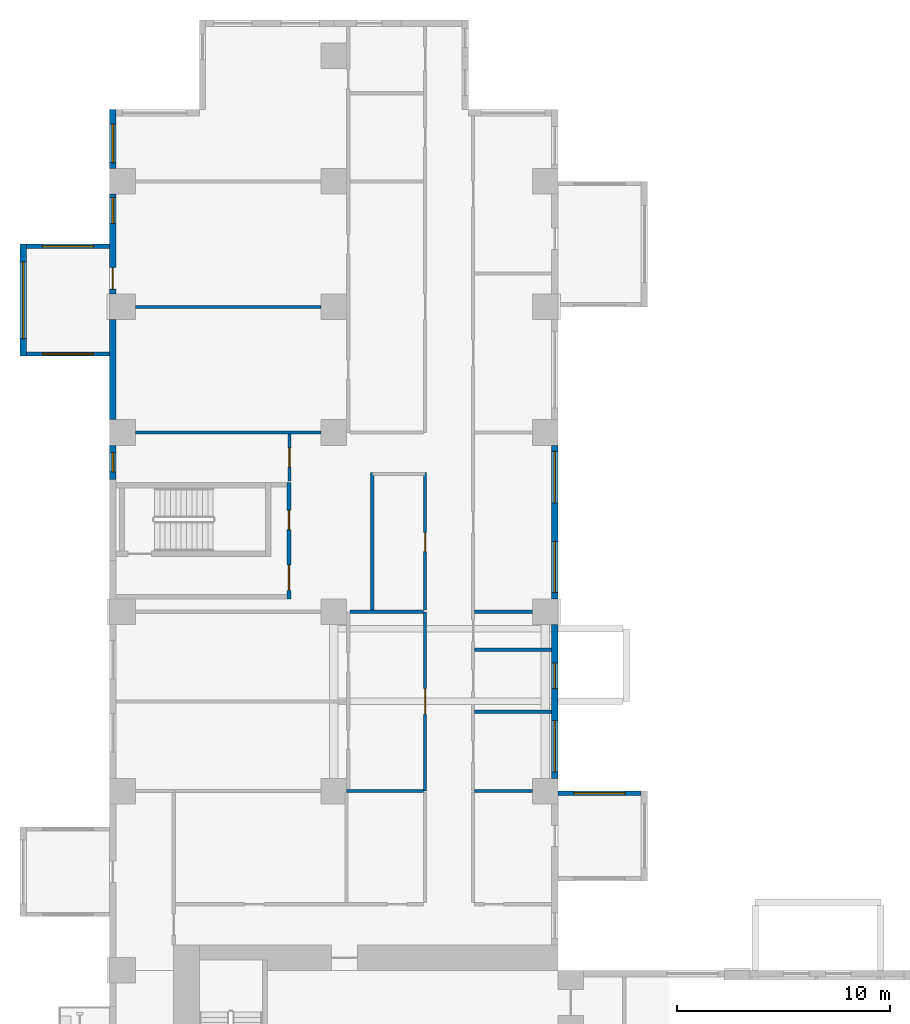
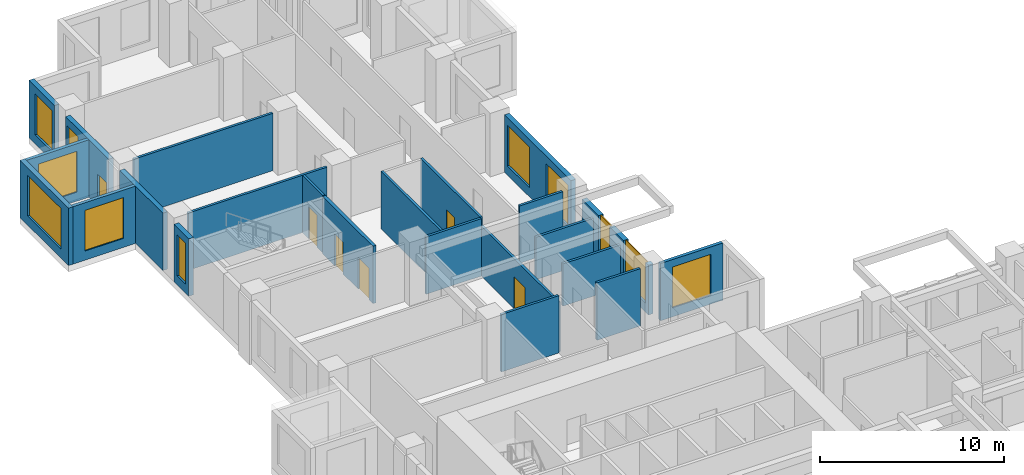
# One storey, part 7 of 15: 23 walls, 11 windows, 6 doors, 17 openings.
"""IFC4 building model written with IfcOpenShell, lengths in metres."""

from ifc_helpers import new_model, si_unit, direction, frame, frame_2d, origin, place, context, subcontext, project, spatial, rectangle, extrude, source, transform, mapped, material, layer, layer_set, type_object, element, fill, save


model = new_model("IFC4")

# Units and contexts
model_context = context("Model", 3, precision=1e-05, world=origin(), true_north=direction((0.0, 1.0)))
body_context = subcontext(model_context, "Body", "Model", "MODEL_VIEW")
ifc_project = project(units=[si_unit("LENGTHUNIT", "METRE"), si_unit("AREAUNIT", "SQUARE_METRE"), si_unit("VOLUMEUNIT", "CUBIC_METRE"), si_unit("PLANEANGLEUNIT", "RADIAN"), si_unit("MASSUNIT", "GRAM", prefix="KILO")], contexts=[model_context])

# Site, building, storey
site_placement = place(None, origin())
site = spatial("IfcSite", under=ifc_project, at=site_placement, CompositionType="ELEMENT")
building_placement = place(site_placement, origin())
building = spatial("IfcBuilding", under=site, at=building_placement, Name="Aurelian Terraces", CompositionType="ELEMENT")
storey_placement = place(building_placement, frame((0.0, 0.0, 61.5)))
storey = spatial("IfcBuildingStorey", under=building, at=storey_placement, Name="L12", CompositionType="ELEMENT", Elevation=61.5)

# Wall, openings, windows
ifc_material_1 = material(Name="Terracotta rainscreen cladding", Category="masonry")
ifc_layer_1 = layer(ifc_material_1, 0.3)
ifc_layer_set_1 = layer_set([ifc_layer_1], Name="EW-300")
wall_type_1 = type_object("IfcWallType", Name="EW-300", PredefinedType="STANDARD", material=ifc_layer_set_1)
shared_shape_1 = source(origin(), body_context, "Body", "SweptSolid", [
    extrude(rectangle(XDim=7.2, YDim=0.3, at=frame_2d((3.6, 0.0))), origin(), (0.0, 0.0, 1.0), 3.8),
])
wall_1_placement = place(storey_placement, frame((20.85, 38.4, 0.0), z_axis=(0.0, 0.0, 1.0), x_axis=(0.0, 1.0, 0.0)))
wall_1 = element("IfcWall", 1, at=wall_1_placement, inside=storey, type_object=wall_type_1, Name="External wall L12 F08.26", PredefinedType="STANDARD", context=body_context, shape_type="MappedRepresentation", body=[
    mapped(shared_shape_1, transform((0.0, 0.0, 0.0), scale=1.0)),
])
shared_shape_2 = source(origin(), body_context, "Body", "SweptSolid", [
    extrude(rectangle(XDim=2.4, YDim=2.7, at=frame_2d((1.2, 1.35))), frame((0.0, 0.16, 0.0), z_axis=(0.0, -1.0, 0.0), x_axis=(1.0, 0.0, 0.0)), (0.0, 0.0, 1.0), 0.32),
])
opening_1_placement = place(wall_1_placement, frame((0.3, 0.0, 0.6)))
opening_1 = element("IfcOpeningElement", 2, at=opening_1_placement, cuts=wall_1, Name="Opening W2427", PredefinedType="OPENING", context=body_context, shape_type="MappedRepresentation", body=[
    mapped(shared_shape_2, transform((0.0, 0.0, 0.0), scale=1.0)),
])
opening_2_placement = place(wall_1_placement, frame((4.5, 0.0, 0.6)))
opening_2 = element("IfcOpeningElement", 3, at=opening_2_placement, cuts=wall_1, Name="Opening W2427", PredefinedType="OPENING", context=body_context, shape_type="MappedRepresentation", body=[
    mapped(shared_shape_2, transform((0.0, 0.0, 0.0), scale=1.0)),
])
ifc_material_2 = material(Name="Clear glazing", Category="glass")
window_type_1 = type_object("IfcWindowType", Name="W-2400x2700", PartitioningType="SINGLE_PANEL", PredefinedType="WINDOW", material=ifc_material_2)
shared_shape_3 = source(origin(), body_context, "Body", "SweptSolid", [
    extrude(rectangle(XDim=2.4, YDim=2.7, at=frame_2d((1.2, 1.35))), frame((0.0, 0.03, 0.0), z_axis=(0.0, -1.0, 0.0), x_axis=(1.0, 0.0, 0.0)), (0.0, 0.0, 1.0), 0.06),
])
window_1_placement = place(opening_1_placement, origin())
window_1 = element("IfcWindow", 4, at=window_1_placement, inside=storey, type_object=window_type_1, Name="Window L12 L12-F08-26-0", OverallHeight=2.7, OverallWidth=2.4, PartitioningType="SINGLE_PANEL", PredefinedType="WINDOW", context=body_context, shape_type="MappedRepresentation", body=[
    mapped(shared_shape_3, transform((0.0, 0.0, 0.0), scale=1.0)),
])
fill(opening_1, window_1)
window_2_placement = place(opening_2_placement, origin())
window_2 = element("IfcWindow", 5, at=window_2_placement, inside=storey, type_object=window_type_1, Name="Window L12 L12-F08-26-1", OverallHeight=2.7, OverallWidth=2.4, PartitioningType="SINGLE_PANEL", PredefinedType="WINDOW", context=body_context, shape_type="MappedRepresentation", body=[
    mapped(shared_shape_3, transform((0.0, 0.0, 0.0), scale=1.0)),
])
fill(opening_2, window_2)

# Wall, openings, window, door
shared_shape_4 = source(origin(), body_context, "Body", "SweptSolid", [
    extrude(rectangle(XDim=4.68, YDim=0.3, at=frame_2d((2.34, 0.0))), origin(), (0.0, 0.0, 1.0), 3.8),
])
wall_2_placement = place(storey_placement, frame((0.15, 57.36, 0.0), z_axis=(0.0, 0.0, 1.0), x_axis=(0.0, -1.0, 0.0)))
wall_2 = element("IfcWall", 6, at=wall_2_placement, inside=storey, type_object=wall_type_1, Name="External wall L12 F14.38", PredefinedType="STANDARD", context=body_context, shape_type="MappedRepresentation", body=[
    mapped(shared_shape_4, transform((0.0, 0.0, 0.0), scale=1.0)),
])
shared_shape_5 = source(origin(), body_context, "Body", "SweptSolid", [
    extrude(rectangle(XDim=1.2, YDim=2.7, at=frame_2d((0.6, 1.35))), frame((0.0, 0.16, 0.0), z_axis=(0.0, -1.0, 0.0), x_axis=(1.0, 0.0, 0.0)), (0.0, 0.0, 1.0), 0.32),
])
opening_3_placement = place(wall_2_placement, frame((0.165, 0.0, 0.6)))
opening_3 = element("IfcOpeningElement", 7, at=opening_3_placement, cuts=wall_2, Name="Opening W1227", PredefinedType="OPENING", context=body_context, shape_type="MappedRepresentation", body=[
    mapped(shared_shape_5, transform((0.0, 0.0, 0.0), scale=1.0)),
])
shared_shape_6 = source(origin(), body_context, "Body", "SweptSolid", [
    extrude(rectangle(XDim=1.0, YDim=2.1, at=frame_2d((0.5, 1.05))), frame((0.0, 0.16, 0.0), z_axis=(0.0, -1.0, 0.0), x_axis=(1.0, 0.0, 0.0)), (0.0, 0.0, 1.0), 0.32),
])
opening_4_placement = place(wall_2_placement, frame((3.4442, 0.0, 0.0)))
opening_4 = element("IfcOpeningElement", 8, at=opening_4_placement, cuts=wall_2, Name="Opening 812004", PredefinedType="OPENING", context=body_context, shape_type="MappedRepresentation", body=[
    mapped(shared_shape_6, transform((0.0, 0.0, 0.0), scale=1.0)),
])
window_type_2 = type_object("IfcWindowType", Name="W-1200x2700", PartitioningType="SINGLE_PANEL", PredefinedType="WINDOW", material=ifc_material_2)
shared_shape_7 = source(origin(), body_context, "Body", "SweptSolid", [
    extrude(rectangle(XDim=1.2, YDim=2.7, at=frame_2d((0.6, 1.35))), frame((0.0, 0.03, 0.0), z_axis=(0.0, -1.0, 0.0), x_axis=(1.0, 0.0, 0.0)), (0.0, 0.0, 1.0), 0.06),
])
window_3_placement = place(opening_3_placement, origin())
window_3 = element("IfcWindow", 9, at=window_3_placement, inside=storey, type_object=window_type_2, Name="Window L12 L12-F14-38-1", OverallHeight=2.7, OverallWidth=1.2, PartitioningType="SINGLE_PANEL", PredefinedType="WINDOW", context=body_context, shape_type="MappedRepresentation", body=[
    mapped(shared_shape_7, transform((0.0, 0.0, 0.0), scale=1.0)),
])
fill(opening_3, window_3)
ifc_material_3 = material(Name="Timber door leaf", Category="wood")
door_type_1 = type_object("IfcDoorType", Name="Room door 1000x2100 left", OperationType="SINGLE_SWING_LEFT", PredefinedType="DOOR", material=ifc_material_3)
shared_shape_8 = source(origin(), body_context, "Body", "SweptSolid", [
    extrude(rectangle(XDim=1.0, YDim=2.1, at=frame_2d((0.5, 1.05))), frame((0.0, 0.025, 0.0), z_axis=(0.0, -1.0, 0.0), x_axis=(1.0, 0.0, 0.0)), (0.0, 0.0, 1.0), 0.05),
])
door_1_placement = place(opening_4_placement, origin())
door_1 = element("IfcDoor", 10, at=door_1_placement, inside=storey, type_object=door_type_1, Name="Door 812004", OperationType="SINGLE_SWING_LEFT", OverallHeight=2.1, OverallWidth=1.0, PredefinedType="DOOR", context=body_context, shape_type="MappedRepresentation", body=[
    mapped(shared_shape_8, transform((0.0, 0.0, 0.0), scale=1.0)),
])
fill(opening_4, door_1)

# Wall
wall_3_placement = place(storey_placement, frame((0.15, 51.48, 0.0), z_axis=(0.0, 0.0, 1.0), x_axis=(0.0, -1.0, 0.0)))
element("IfcWall", 11, at=wall_3_placement, inside=storey, type_object=wall_type_1, Name="External wall L12 F14.38", PredefinedType="STANDARD", context=body_context, shape_type="MappedRepresentation", body=[
    mapped(shared_shape_4, transform((0.0, 0.0, 0.0), scale=1.0)),
])

# Wall, opening, window
shared_shape_9 = source(origin(), body_context, "Body", "SweptSolid", [
    extrude(rectangle(XDim=2.76, YDim=0.3, at=frame_2d((1.38, 0.0))), origin(), (0.0, 0.0, 1.0), 3.8),
])
wall_4_placement = place(storey_placement, frame((0.15, 61.32, 0.0), z_axis=(0.0, 0.0, 1.0), x_axis=(0.0, -1.0, 0.0)))
wall_4 = element("IfcWall", 12, at=wall_4_placement, inside=storey, type_object=wall_type_1, Name="External wall L12 F14.38", PredefinedType="STANDARD", context=body_context, shape_type="MappedRepresentation", body=[
    mapped(shared_shape_9, transform((0.0, 0.0, 0.0), scale=1.0)),
])
shared_shape_10 = source(origin(), body_context, "Body", "SweptSolid", [
    extrude(rectangle(XDim=1.8, YDim=2.7, at=frame_2d((0.9, 1.35))), frame((0.0, 0.16, 0.0), z_axis=(0.0, -1.0, 0.0), x_axis=(1.0, 0.0, 0.0)), (0.0, 0.0, 1.0), 0.32),
])
opening_5_placement = place(wall_4_placement, frame((0.675, 0.0, 0.6)))
opening_5 = element("IfcOpeningElement", 13, at=opening_5_placement, cuts=wall_4, Name="Opening W1827", PredefinedType="OPENING", context=body_context, shape_type="MappedRepresentation", body=[
    mapped(shared_shape_10, transform((0.0, 0.0, 0.0), scale=1.0)),
])
window_type_3 = type_object("IfcWindowType", Name="W-1800x2700", PartitioningType="SINGLE_PANEL", PredefinedType="WINDOW", material=ifc_material_2)
shared_shape_11 = source(origin(), body_context, "Body", "SweptSolid", [
    extrude(rectangle(XDim=1.8, YDim=2.7, at=frame_2d((0.9, 1.35))), frame((0.0, 0.03, 0.0), z_axis=(0.0, -1.0, 0.0), x_axis=(1.0, 0.0, 0.0)), (0.0, 0.0, 1.0), 0.06),
])
window_4_placement = place(opening_5_placement, origin())
window_4 = element("IfcWindow", 14, at=window_4_placement, inside=storey, type_object=window_type_3, Name="Window L12 L12-F14-38-0", OverallHeight=2.7, OverallWidth=1.8, PartitioningType="SINGLE_PANEL", PredefinedType="WINDOW", context=body_context, shape_type="MappedRepresentation", body=[
    mapped(shared_shape_11, transform((0.0, 0.0, 0.0), scale=1.0)),
])
fill(opening_5, window_4)

shared_shape_12 = source(origin(), body_context, "Body", "SweptSolid", [
    extrude(rectangle(XDim=1.6, YDim=0.3, at=frame_2d((0.8, 0.0))), origin(), (0.0, 0.0, 1.0), 3.8),
])
wall_5_placement = place(storey_placement, frame((0.15, 45.6, 0.0), z_axis=(0.0, 0.0, 1.0), x_axis=(0.0, -1.0, 0.0)))
wall_5 = element("IfcWall", 15, at=wall_5_placement, inside=storey, type_object=wall_type_1, Name="External wall L12 F14.38", PredefinedType="STANDARD", context=body_context, shape_type="MappedRepresentation", body=[
    mapped(shared_shape_12, transform((0.0, 0.0, 0.0), scale=1.0)),
])
shared_shape_13 = source(origin(), body_context, "Body", "SweptSolid", [
    extrude(rectangle(XDim=0.9, YDim=2.7, at=frame_2d((0.45, 1.35))), frame((0.0, 0.16, 0.0), z_axis=(0.0, -1.0, 0.0), x_axis=(1.0, 0.0, 0.0)), (0.0, 0.0, 1.0), 0.32),
])
opening_6_placement = place(wall_5_placement, frame((0.35, 0.0, 0.6)))
opening_6 = element("IfcOpeningElement", 16, at=opening_6_placement, cuts=wall_5, Name="Opening W0927", PredefinedType="OPENING", context=body_context, shape_type="MappedRepresentation", body=[
    mapped(shared_shape_13, transform((0.0, 0.0, 0.0), scale=1.0)),
])
window_type_4 = type_object("IfcWindowType", Name="W-900x2700", PartitioningType="SINGLE_PANEL", PredefinedType="WINDOW", material=ifc_material_2)
shared_shape_14 = source(origin(), body_context, "Body", "SweptSolid", [
    extrude(rectangle(XDim=0.9, YDim=2.7, at=frame_2d((0.45, 1.35))), frame((0.0, 0.03, 0.0), z_axis=(0.0, -1.0, 0.0), x_axis=(1.0, 0.0, 0.0)), (0.0, 0.0, 1.0), 0.06),
])
window_5_placement = place(opening_6_placement, origin())
window_5 = element("IfcWindow", 17, at=window_5_placement, inside=storey, type_object=window_type_4, Name="Window L12 L12-F14-38-P3", OverallHeight=2.7, OverallWidth=0.9, PartitioningType="SINGLE_PANEL", PredefinedType="WINDOW", context=body_context, shape_type="MappedRepresentation", body=[
    mapped(shared_shape_14, transform((0.0, 0.0, 0.0), scale=1.0)),
])
fill(opening_6, window_5)

# Wall, openings, windows
shared_shape_15 = source(origin(), body_context, "Body", "SweptSolid", [
    extrude(rectangle(XDim=7.2, YDim=0.3, at=frame_2d((3.6, 0.0))), origin(), (0.0, 0.0, 1.0), 3.3),
])
wall_6_placement = place(storey_placement, frame((20.85, 30.0, 0.0), z_axis=(0.0, 0.0, 1.0), x_axis=(0.0, 1.0, 0.0)))
wall_6 = element("IfcWall", 18, at=wall_6_placement, inside=storey, type_object=wall_type_1, Name="External wall L12 F08.25", PredefinedType="STANDARD", context=body_context, shape_type="MappedRepresentation", body=[
    mapped(shared_shape_15, transform((0.0, 0.0, 0.0), scale=1.0)),
])
opening_7_placement = place(wall_6_placement, frame((0.3, 0.0, 0.6)))
opening_7 = element("IfcOpeningElement", 19, at=opening_7_placement, cuts=wall_6, Name="Opening W2427", PredefinedType="OPENING", context=body_context, shape_type="MappedRepresentation", body=[
    mapped(shared_shape_2, transform((0.0, 0.0, 0.0), scale=1.0)),
])
opening_8_placement = place(wall_6_placement, frame((4.1995, 0.0, 0.6)))
opening_8 = element("IfcOpeningElement", 20, at=opening_8_placement, cuts=wall_6, Name="Opening W1227", PredefinedType="OPENING", context=body_context, shape_type="MappedRepresentation", body=[
    mapped(shared_shape_5, transform((0.0, 0.0, 0.0), scale=1.0)),
])
window_6_placement = place(opening_7_placement, origin())
window_6 = element("IfcWindow", 21, at=window_6_placement, inside=storey, type_object=window_type_1, Name="Window L12 L12-F08-25-0", OverallHeight=2.7, OverallWidth=2.4, PartitioningType="SINGLE_PANEL", PredefinedType="WINDOW", context=body_context, shape_type="MappedRepresentation", body=[
    mapped(shared_shape_3, transform((0.0, 0.0, 0.0), scale=1.0)),
])
fill(opening_7, window_6)
window_7_placement = place(opening_8_placement, origin())
window_7 = element("IfcWindow", 22, at=window_7_placement, inside=storey, type_object=window_type_2, Name="Window L12 L12-F08-25-G0-33", OverallHeight=2.7, OverallWidth=1.2, PartitioningType="SINGLE_PANEL", PredefinedType="WINDOW", context=body_context, shape_type="MappedRepresentation", body=[
    mapped(shared_shape_7, transform((0.0, 0.0, 0.0), scale=1.0)),
])
fill(opening_8, window_7)

# Wall, opening, window
ifc_material_4 = material(Name="Concrete fc' 40 MPa", Category="concrete")
ifc_layer_2 = layer(ifc_material_4, 0.2)
ifc_layer_set_2 = layer_set([ifc_layer_2], Name="BOX BEARING WALL 200")
wall_type_2 = type_object("IfcWallType", Name="BOX BEARING WALL 200", PredefinedType="SOLIDWALL", material=ifc_layer_set_2)
shared_shape_16 = source(origin(), body_context, "Body", "SweptSolid", [
    extrude(rectangle(XDim=3.9, YDim=0.2, at=frame_2d((1.95, 0.0))), origin(), (0.0, 0.0, 1.0), 3.79),
])
wall_7_placement = place(storey_placement, frame((21.0, 29.3, 0.0), z_axis=(0.0, 0.0, 1.0), x_axis=(1.0, 0.0, 0.0)))
wall_7 = element("IfcWall", 23, at=wall_7_placement, inside=storey, type_object=wall_type_2, Name="Box return L12 J11.2", PredefinedType="SOLIDWALL", context=body_context, shape_type="MappedRepresentation", body=[
    mapped(shared_shape_16, transform((0.0, 0.0, 0.0), scale=1.0)),
])
shared_shape_17 = source(origin(), body_context, "Body", "SweptSolid", [
    extrude(rectangle(XDim=2.4, YDim=2.7, at=frame_2d((1.2, 1.35))), frame((0.0, 0.11, 0.0), z_axis=(0.0, -1.0, 0.0), x_axis=(1.0, 0.0, 0.0)), (0.0, 0.0, 1.0), 0.22),
])
opening_9_placement = place(wall_7_placement, frame((0.75, 0.0, 0.6)))
opening_9 = element("IfcOpeningElement", 24, at=opening_9_placement, cuts=wall_7, Name="Opening W2427", PredefinedType="OPENING", context=body_context, shape_type="MappedRepresentation", body=[
    mapped(shared_shape_17, transform((0.0, 0.0, 0.0), scale=1.0)),
])
window_8_placement = place(opening_9_placement, origin())
window_8 = element("IfcWindow", 25, at=window_8_placement, inside=storey, type_object=window_type_1, Name="Window L12 J11-S2", OverallHeight=2.7, OverallWidth=2.4, PartitioningType="SINGLE_PANEL", PredefinedType="WINDOW", context=body_context, shape_type="MappedRepresentation", body=[
    mapped(shared_shape_3, transform((0.0, 0.0, 0.0), scale=1.0)),
])
fill(opening_9, window_8)

shared_shape_18 = source(origin(), body_context, "Body", "SweptSolid", [
    extrude(rectangle(XDim=3.9, YDim=0.2, at=frame_2d((1.95, 0.0))), origin(), (0.0, 0.0, 1.0), 3.8),
])
wall_8_placement = place(storey_placement, frame((0.0, 54.92, 0.0), z_axis=(0.0, 0.0, 1.0), x_axis=(-1.0, 0.0, 0.0)))
wall_8 = element("IfcWall", 26, at=wall_8_placement, inside=storey, type_object=wall_type_2, Name="Box return L12 J10.1", PredefinedType="SOLIDWALL", context=body_context, shape_type="MappedRepresentation", body=[
    mapped(shared_shape_18, transform((0.0, 0.0, 0.0), scale=1.0)),
])
opening_10_placement = place(wall_8_placement, frame((0.75, 0.0, 0.6)))
opening_10 = element("IfcOpeningElement", 27, at=opening_10_placement, cuts=wall_8, Name="Opening W2427", PredefinedType="OPENING", context=body_context, shape_type="MappedRepresentation", body=[
    mapped(shared_shape_17, transform((0.0, 0.0, 0.0), scale=1.0)),
])
window_9_placement = place(opening_10_placement, origin())
window_9 = element("IfcWindow", 28, at=window_9_placement, inside=storey, type_object=window_type_1, Name="Window L12 J10-S1", OverallHeight=2.7, OverallWidth=2.4, PartitioningType="SINGLE_PANEL", PredefinedType="WINDOW", context=body_context, shape_type="MappedRepresentation", body=[
    mapped(shared_shape_3, transform((0.0, 0.0, 0.0), scale=1.0)),
])
fill(opening_10, window_9)

wall_9_placement = place(storey_placement, frame((0.0, 49.87, 0.0), z_axis=(0.0, 0.0, 1.0), x_axis=(-1.0, 0.0, 0.0)))
wall_9 = element("IfcWall", 29, at=wall_9_placement, inside=storey, type_object=wall_type_2, Name="Box return L12 J10.2", PredefinedType="SOLIDWALL", context=body_context, shape_type="MappedRepresentation", body=[
    mapped(shared_shape_18, transform((0.0, 0.0, 0.0), scale=1.0)),
])
opening_11_placement = place(wall_9_placement, frame((0.75, 0.0, 0.6)))
opening_11 = element("IfcOpeningElement", 30, at=opening_11_placement, cuts=wall_9, Name="Opening W2427", PredefinedType="OPENING", context=body_context, shape_type="MappedRepresentation", body=[
    mapped(shared_shape_17, transform((0.0, 0.0, 0.0), scale=1.0)),
])
window_10_placement = place(opening_11_placement, origin())
window_10 = element("IfcWindow", 31, at=window_10_placement, inside=storey, type_object=window_type_1, Name="Window L12 J10-S2", OverallHeight=2.7, OverallWidth=2.4, PartitioningType="SINGLE_PANEL", PredefinedType="WINDOW", context=body_context, shape_type="MappedRepresentation", body=[
    mapped(shared_shape_3, transform((0.0, 0.0, 0.0), scale=1.0)),
])
fill(opening_11, window_10)

ifc_layer_3 = layer(ifc_material_4, 0.3)
ifc_layer_set_3 = layer_set([ifc_layer_3], Name="BOX BEARING WALL 300")
wall_type_3 = type_object("IfcWallType", Name="BOX BEARING WALL 300", PredefinedType="SOLIDWALL", material=ifc_layer_set_3)
shared_shape_19 = source(origin(), body_context, "Body", "SweptSolid", [
    extrude(rectangle(XDim=5.25, YDim=0.3, at=frame_2d((2.625, 0.0))), origin(), (0.0, 0.0, 1.0), 3.8),
])
wall_10_placement = place(storey_placement, frame((-4.05, 55.02, 0.0), z_axis=(0.0, 0.0, 1.0), x_axis=(0.0, -1.0, 0.0)))
wall_10 = element("IfcWall", 32, at=wall_10_placement, inside=storey, type_object=wall_type_3, Name="Box wall L12 J10", PredefinedType="SOLIDWALL", context=body_context, shape_type="MappedRepresentation", body=[
    mapped(shared_shape_19, transform((0.0, 0.0, 0.0), scale=1.0)),
])
shared_shape_20 = source(origin(), body_context, "Body", "SweptSolid", [
    extrude(rectangle(XDim=3.6, YDim=2.7, at=frame_2d((1.8, 1.35))), frame((0.0, 0.16, 0.0), z_axis=(0.0, -1.0, 0.0), x_axis=(1.0, 0.0, 0.0)), (0.0, 0.0, 1.0), 0.32),
])
opening_12_placement = place(wall_10_placement, frame((0.825, 0.0, 0.6)))
opening_12 = element("IfcOpeningElement", 33, at=opening_12_placement, cuts=wall_10, Name="Opening W3627", PredefinedType="OPENING", context=body_context, shape_type="MappedRepresentation", body=[
    mapped(shared_shape_20, transform((0.0, 0.0, 0.0), scale=1.0)),
])
window_type_5 = type_object("IfcWindowType", Name="W-3600x2700", PartitioningType="SINGLE_PANEL", PredefinedType="WINDOW", material=ifc_material_2)
shared_shape_21 = source(origin(), body_context, "Body", "SweptSolid", [
    extrude(rectangle(XDim=3.6, YDim=2.7, at=frame_2d((1.8, 1.35))), frame((0.0, 0.03, 0.0), z_axis=(0.0, -1.0, 0.0), x_axis=(1.0, 0.0, 0.0)), (0.0, 0.0, 1.0), 0.06),
])
window_11_placement = place(opening_12_placement, origin())
window_11 = element("IfcWindow", 34, at=window_11_placement, inside=storey, type_object=window_type_5, Name="Window L12 J10-F1", OverallHeight=2.7, OverallWidth=3.6, PartitioningType="SINGLE_PANEL", PredefinedType="WINDOW", context=body_context, shape_type="MappedRepresentation", body=[
    mapped(shared_shape_21, transform((0.0, 0.0, 0.0), scale=1.0)),
])
fill(opening_12, window_11)

# Wall, openings, doors
ifc_material_5 = material(Name="Gypsum board on steel studs", Category="steel")
ifc_layer_4 = layer(ifc_material_5, 0.2)
ifc_layer_set_4 = layer_set([ifc_layer_4], Name="Core partition 200")
wall_type_4 = type_object("IfcWallType", Name="Core partition 200", PredefinedType="PARTITIONING", material=ifc_layer_set_4)
shared_shape_22 = source(origin(), body_context, "Body", "SweptSolid", [
    extrude(rectangle(XDim=5.45, YDim=0.2, at=frame_2d((2.725, 0.0))), origin(), (0.0, 0.0, 1.0), 3.8),
])
wall_11_placement = place(storey_placement, frame((8.4, 38.4, 0.0), z_axis=(0.0, 0.0, 1.0), x_axis=(0.0, 1.0, 0.0)))
wall_11 = element("IfcWall", 35, at=wall_11_placement, inside=storey, type_object=wall_type_4, Name="L12 core wall ST-S3-BN", PredefinedType="PARTITIONING", context=body_context, shape_type="MappedRepresentation", body=[
    mapped(shared_shape_22, transform((0.0, 0.0, 0.0), scale=1.0)),
])
shared_shape_23 = source(origin(), body_context, "Body", "SweptSolid", [
    extrude(rectangle(XDim=1.2, YDim=2.1, at=frame_2d((0.6, 1.05))), frame((0.0, 0.11, 0.0), z_axis=(0.0, -1.0, 0.0), x_axis=(1.0, 0.0, 0.0)), (0.0, 0.0, 1.0), 0.22),
])
opening_13_placement = place(wall_11_placement, frame((0.4, 0.0, 0.0)))
opening_13 = element("IfcOpeningElement", 36, at=opening_13_placement, cuts=wall_11, Name="Opening 61519", PredefinedType="OPENING", context=body_context, shape_type="MappedRepresentation", body=[
    mapped(shared_shape_23, transform((0.0, 0.0, 0.0), scale=1.0)),
])
shared_shape_24 = source(origin(), body_context, "Body", "SweptSolid", [
    extrude(rectangle(XDim=0.9, YDim=2.1, at=frame_2d((0.45, 1.05))), frame((0.0, 0.11, 0.0), z_axis=(0.0, -1.0, 0.0), x_axis=(1.0, 0.0, 0.0)), (0.0, 0.0, 1.0), 0.22),
])
opening_14_placement = place(wall_11_placement, frame((3.25, 0.0, 0.0)))
opening_14 = element("IfcOpeningElement", 37, at=opening_14_placement, cuts=wall_11, Name="Opening 61520", PredefinedType="OPENING", context=body_context, shape_type="MappedRepresentation", body=[
    mapped(shared_shape_24, transform((0.0, 0.0, 0.0), scale=1.0)),
])
ifc_material_6 = material(Name="Steel door leaf", Category="steel")
door_type_2 = type_object("IfcDoorType", Name="Core riser door 900x2100 right", OperationType="SINGLE_SWING_RIGHT", PredefinedType="DOOR", material=ifc_material_6)
shared_shape_25 = source(origin(), body_context, "Body", "SweptSolid", [
    extrude(rectangle(XDim=0.9, YDim=2.1, at=frame_2d((0.45, 1.05))), frame((0.0, 0.025, 0.0), z_axis=(0.0, -1.0, 0.0), x_axis=(1.0, 0.0, 0.0)), (0.0, 0.0, 1.0), 0.05),
])
door_2_placement = place(opening_14_placement, origin())
door_2 = element("IfcDoor", 38, at=door_2_placement, inside=storey, type_object=door_type_2, Name="Riser door 61520", OperationType="SINGLE_SWING_RIGHT", OverallHeight=2.1, OverallWidth=0.9, PredefinedType="DOOR", context=body_context, shape_type="MappedRepresentation", body=[
    mapped(shared_shape_25, transform((0.0, 0.0, 0.0), scale=1.0)),
])
fill(opening_14, door_2)
door_type_3 = type_object("IfcDoorType", Name="Core fire door 1200x2100", OperationType="SINGLE_SWING_LEFT", PredefinedType="DOOR", material=ifc_material_6)
shared_shape_26 = source(origin(), body_context, "Body", "SweptSolid", [
    extrude(rectangle(XDim=1.2, YDim=2.1, at=frame_2d((0.6, 1.05))), frame((0.0, 0.025, 0.0), z_axis=(0.0, -1.0, 0.0), x_axis=(1.0, 0.0, 0.0)), (0.0, 0.0, 1.0), 0.05),
])
door_3_placement = place(opening_13_placement, origin())
door_3 = element("IfcDoor", 39, at=door_3_placement, inside=storey, type_object=door_type_3, Name="Vestibule door 61519", OperationType="SINGLE_SWING_LEFT", OverallHeight=2.1, OverallWidth=1.2, PredefinedType="DOOR", context=body_context, shape_type="MappedRepresentation", body=[
    mapped(shared_shape_26, transform((0.0, 0.0, 0.0), scale=1.0)),
])
fill(opening_13, door_3)

# Wall
ifc_layer_5 = layer(ifc_material_5, 0.15)
ifc_layer_set_5 = layer_set([ifc_layer_5], Name="Partition 150")
wall_type_5 = type_object("IfcWallType", Name="Partition 150", PredefinedType="PARTITIONING", material=ifc_layer_set_5)
shared_shape_27 = source(origin(), body_context, "Body", "SweptSolid", [
    extrude(rectangle(XDim=6.45, YDim=0.15, at=frame_2d((3.225, 0.0))), origin(), (0.0, 0.0, 1.0), 3.8),
])
wall_12_placement = place(storey_placement, frame((12.3, 44.325, 0.0), z_axis=(0.0, 0.0, 1.0), x_axis=(0.0, -1.0, 0.0)))
element("IfcWall", 40, at=wall_12_placement, inside=storey, type_object=wall_type_5, Name="Partition", PredefinedType="PARTITIONING", context=body_context, shape_type="MappedRepresentation", body=[
    mapped(shared_shape_27, transform((0.0, 0.0, 0.0), scale=1.0)),
])

# Wall, opening, door
ifc_layer_6 = layer(ifc_material_5, 0.15)
ifc_layer_set_6 = layer_set([ifc_layer_6], Name="Fire partition 150")
wall_type_6 = type_object("IfcWallType", Name="Fire partition 150", PredefinedType="PARTITIONING", material=ifc_layer_set_6)
wall_13_placement = place(storey_placement, frame((14.775, 37.875, 0.0), z_axis=(0.0, 0.0, 1.0), x_axis=(0.0, 1.0, 0.0)))
wall_13 = element("IfcWall", 41, at=wall_13_placement, inside=storey, type_object=wall_type_6, Name="Corridor wall", PredefinedType="PARTITIONING", context=body_context, shape_type="MappedRepresentation", body=[
    mapped(shared_shape_27, transform((0.0, 0.0, 0.0), scale=1.0)),
])
shared_shape_28 = source(origin(), body_context, "Body", "SweptSolid", [
    extrude(rectangle(XDim=0.9, YDim=2.1, at=frame_2d((0.45, 1.05))), frame((0.0, 0.085, 0.0), z_axis=(0.0, -1.0, 0.0), x_axis=(1.0, 0.0, 0.0)), (0.0, 0.0, 1.0), 0.17),
])
opening_15_placement = place(wall_13_placement, frame((2.7375, 0.0, 0.0)))
opening_15 = element("IfcOpeningElement", 42, at=opening_15_placement, cuts=wall_13, Name="Opening 712033", PredefinedType="OPENING", context=body_context, shape_type="MappedRepresentation", body=[
    mapped(shared_shape_28, transform((0.0, 0.0, 0.0), scale=1.0)),
])
door_type_4 = type_object("IfcDoorType", Name="Room door 900x2100 left", OperationType="SINGLE_SWING_LEFT", PredefinedType="DOOR", material=ifc_material_3)
door_4_placement = place(opening_15_placement, origin())
door_4 = element("IfcDoor", 43, at=door_4_placement, inside=storey, type_object=door_type_4, Name="Door 712033", OperationType="SINGLE_SWING_LEFT", OverallHeight=2.1, OverallWidth=0.9, PredefinedType="DOOR", context=body_context, shape_type="MappedRepresentation", body=[
    mapped(shared_shape_25, transform((0.0, 0.0, 0.0), scale=1.0)),
])
fill(opening_15, door_4)

# Walls
shared_shape_29 = source(origin(), body_context, "Body", "SweptSolid", [
    extrude(rectangle(XDim=8.702, YDim=0.15, at=frame_2d((4.351, 0.0))), origin(), (0.0, 0.0, 1.0), 3.8),
])
for number, where, z_axis, x_axis, name in (
    (44, (9.901, 52.08, 0.0), (0.0, 0.0, 1.0), (-1.0, 0.0, 0.0), "Partition"),
    (45, (9.901, 46.2, 0.0), (0.0, 0.0, 1.0), (-1.0, 0.0, 0.0), "Partition"),
):
    element("IfcWall", number, at=place(storey_placement, frame(where, z_axis=z_axis, x_axis=x_axis)), inside=storey, type_object=wall_type_5, Name=name, PredefinedType="PARTITIONING", context=body_context, shape_type="MappedRepresentation", body=[
        mapped(shared_shape_29, transform((0.0, 0.0, 0.0), scale=1.0)),
    ])
shared_shape_30 = source(origin(), body_context, "Body", "SweptSolid", [
    extrude(rectangle(XDim=2.701, YDim=0.15, at=frame_2d((1.3505, 0.0))), origin(), (0.0, 0.0, 1.0), 3.8),
])
for number, where, z_axis, x_axis, name in (
    (46, (19.801, 29.4, 0.0), (0.0, 0.0, 1.0), (-1.0, 0.0, 0.0), "Partition"),
    (47, (19.801, 37.8, 0.0), (0.0, 0.0, 1.0), (-1.0, 0.0, 0.0), "Partition"),
):
    element("IfcWall", number, at=place(storey_placement, frame(where, z_axis=z_axis, x_axis=x_axis)), inside=storey, type_object=wall_type_5, Name=name, PredefinedType="PARTITIONING", context=body_context, shape_type="MappedRepresentation", body=[
        mapped(shared_shape_30, transform((0.0, 0.0, 0.0), scale=1.0)),
    ])

# Wall, opening, door
shared_shape_31 = source(origin(), body_context, "Body", "SweptSolid", [
    extrude(rectangle(XDim=2.2, YDim=0.15, at=frame_2d((1.1, 0.0))), origin(), (0.0, 0.0, 1.0), 3.8),
])
wall_14_placement = place(storey_placement, frame((8.425, 43.925, 0.0), z_axis=(0.0, 0.0, 1.0), x_axis=(0.0, 1.0, 0.0)))
wall_14 = element("IfcWall", 48, at=wall_14_placement, inside=storey, type_object=wall_type_5, Name="Partition", PredefinedType="PARTITIONING", context=body_context, shape_type="MappedRepresentation", body=[
    mapped(shared_shape_31, transform((0.0, 0.0, 0.0), scale=1.0)),
])
opening_16_placement = place(wall_14_placement, frame((0.65, 0.0, 0.0)))
opening_16 = element("IfcOpeningElement", 49, at=opening_16_placement, cuts=wall_14, Name="Opening 712034", PredefinedType="OPENING", context=body_context, shape_type="MappedRepresentation", body=[
    mapped(shared_shape_28, transform((0.0, 0.0, 0.0), scale=1.0)),
])
door_5_placement = place(opening_16_placement, origin())
door_5 = element("IfcDoor", 50, at=door_5_placement, inside=storey, type_object=door_type_4, Name="Door 712034", OperationType="SINGLE_SWING_LEFT", OverallHeight=2.1, OverallWidth=0.9, PredefinedType="DOOR", context=body_context, shape_type="MappedRepresentation", body=[
    mapped(shared_shape_25, transform((0.0, 0.0, 0.0), scale=1.0)),
])
fill(opening_16, door_5)

# Walls
shared_shape_32 = source(origin(), body_context, "Body", "SweptSolid", [
    extrude(rectangle(XDim=3.6, YDim=0.15, at=frame_2d((1.8, 0.0))), origin(), (0.0, 0.0, 1.0), 2.8),
])
for number, where, z_axis, x_axis, name in (
    (51, (17.1, 33.1133, 0.0), (0.0, 0.0, 1.0), (1.0, 0.0, 0.0), "Partition"),
    (52, (17.1, 36.024, 0.0), (0.0, 0.0, 1.0), (1.0, 0.0, 0.0), "Partition"),
):
    element("IfcWall", number, at=place(storey_placement, frame(where, z_axis=z_axis, x_axis=x_axis)), inside=storey, type_object=wall_type_5, Name=name, PredefinedType="PARTITIONING", context=body_context, shape_type="MappedRepresentation", body=[
        mapped(shared_shape_32, transform((0.0, 0.0, 0.0), scale=1.0)),
    ])

# Wall, opening, door
shared_shape_33 = source(origin(), body_context, "Body", "SweptSolid", [
    extrude(rectangle(XDim=8.4, YDim=0.15, at=frame_2d((4.2, 0.0))), origin(), (0.0, 0.0, 1.0), 3.3),
])
wall_15_placement = place(storey_placement, frame((14.775, 29.4, 0.0), z_axis=(0.0, 0.0, 1.0), x_axis=(0.0, 1.0, 0.0)))
wall_15 = element("IfcWall", 53, at=wall_15_placement, inside=storey, type_object=wall_type_6, Name="Corridor wall", PredefinedType="PARTITIONING", context=body_context, shape_type="MappedRepresentation", body=[
    mapped(shared_shape_33, transform((0.0, 0.0, 0.0), scale=1.0)),
])
shared_shape_34 = source(origin(), body_context, "Body", "SweptSolid", [
    extrude(rectangle(XDim=1.2, YDim=2.1, at=frame_2d((0.6, 1.05))), frame((0.0, 0.085, 0.0), z_axis=(0.0, -1.0, 0.0), x_axis=(1.0, 0.0, 0.0)), (0.0, 0.0, 1.0), 0.17),
])
opening_17_placement = place(wall_15_placement, frame((3.6, 0.0, 0.0)))
opening_17 = element("IfcOpeningElement", 54, at=opening_17_placement, cuts=wall_15, Name="Opening 712035", PredefinedType="OPENING", context=body_context, shape_type="MappedRepresentation", body=[
    mapped(shared_shape_34, transform((0.0, 0.0, 0.0), scale=1.0)),
])
door_type_5 = type_object("IfcDoorType", Name="Room door 1200x2100 right", OperationType="SINGLE_SWING_RIGHT", PredefinedType="DOOR", material=ifc_material_3)
door_6_placement = place(opening_17_placement, origin())
door_6 = element("IfcDoor", 55, at=door_6_placement, inside=storey, type_object=door_type_5, Name="Door 712035", OperationType="SINGLE_SWING_RIGHT", OverallHeight=2.1, OverallWidth=1.2, PredefinedType="DOOR", context=body_context, shape_type="MappedRepresentation", body=[
    mapped(shared_shape_26, transform((0.0, 0.0, 0.0), scale=1.0)),
])
fill(opening_17, door_6)

# Walls
shared_shape_35 = source(origin(), body_context, "Body", "SweptSolid", [
    extrude(rectangle(XDim=3.601, YDim=0.15, at=frame_2d((1.8005, 0.0))), origin(), (0.0, 0.0, 1.0), 3.8),
])
wall_16_placement = place(storey_placement, frame((14.7, 29.4, 0.0), z_axis=(0.0, 0.0, 1.0), x_axis=(-1.0, 0.0, 0.0)))
element("IfcWall", 56, at=wall_16_placement, inside=storey, type_object=wall_type_5, Name="Partition", PredefinedType="PARTITIONING", context=body_context, shape_type="MappedRepresentation", body=[
    mapped(shared_shape_35, transform((0.0, 0.0, 0.0), scale=1.0)),
])
shared_shape_36 = source(origin(), body_context, "Body", "SweptSolid", [
    extrude(rectangle(XDim=3.45, YDim=0.15, at=frame_2d((1.725, 0.0))), origin(), (0.0, 0.0, 1.0), 3.8),
])
wall_17_placement = place(storey_placement, frame((14.7, 37.8, 0.0), z_axis=(0.0, 0.0, 1.0), x_axis=(-1.0, 0.0, 0.0)))
element("IfcWall", 57, at=wall_17_placement, inside=storey, type_object=wall_type_5, Name="Partition", PredefinedType="PARTITIONING", context=body_context, shape_type="MappedRepresentation", body=[
    mapped(shared_shape_36, transform((0.0, 0.0, 0.0), scale=1.0)),
])

save(model, "model.ifc")
